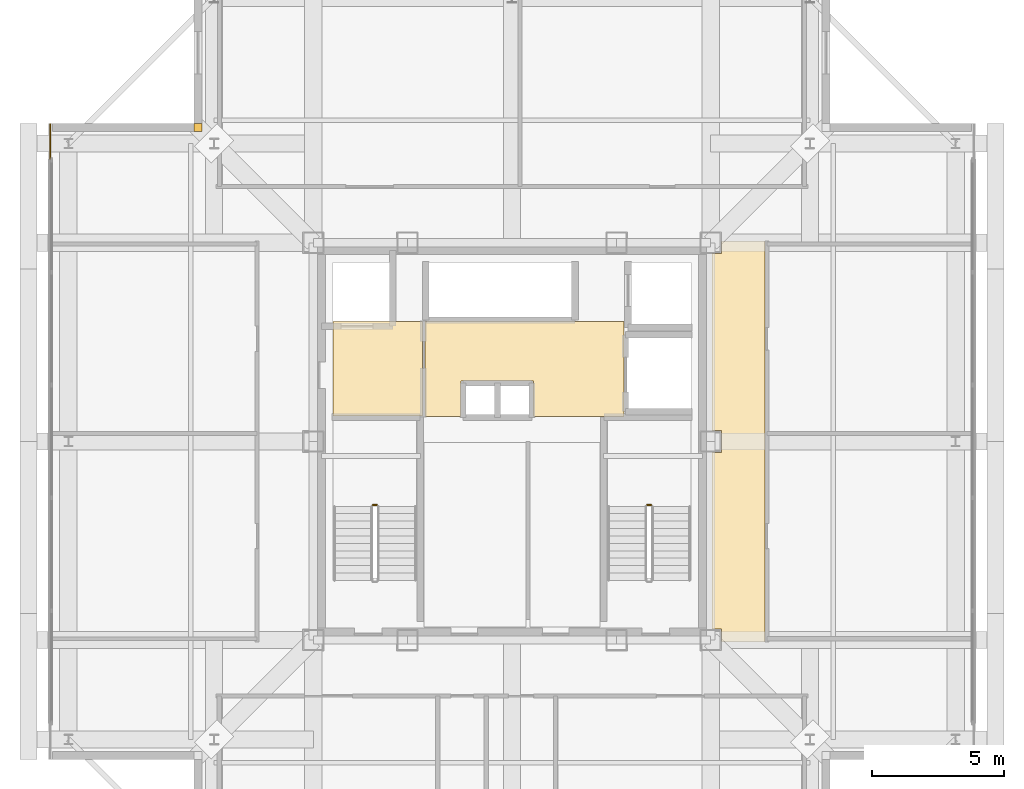
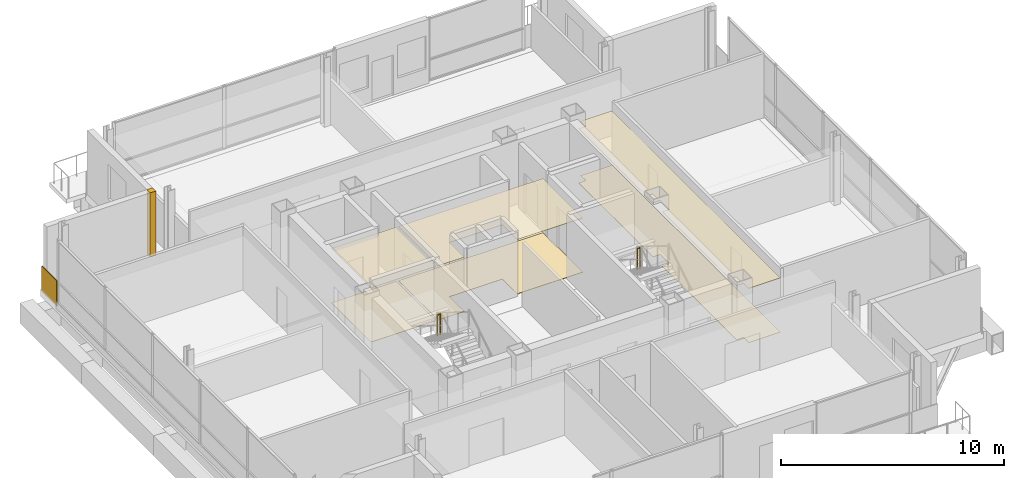
# One storey, part 14 of 15: 8 coverings, 2 railings.
"""IFC4 building model written with IfcOpenShell, lengths in metres."""

from ifc_helpers import new_model, si_unit, direction, frame, frame_2d, origin, origin_2d, place, context, subcontext, project, spatial, polyline, rectangle, circle, outline, extrude, material, layer, layer_set, type_object, element, save


model = new_model("IFC4")

# Units and contexts
model_context = context("Model", 3, precision=1e-05, world=origin(), true_north=direction((0.0, 1.0)))
body_context = subcontext(model_context, "Body", "Model", "MODEL_VIEW")
ifc_project = project(units=[si_unit("LENGTHUNIT", "METRE"), si_unit("AREAUNIT", "SQUARE_METRE"), si_unit("VOLUMEUNIT", "CUBIC_METRE"), si_unit("PLANEANGLEUNIT", "RADIAN"), si_unit("MASSUNIT", "GRAM", prefix="KILO")], contexts=[model_context])

# Site, building, storey
site_placement = place(None, origin())
site = spatial("IfcSite", under=ifc_project, at=site_placement, CompositionType="ELEMENT")
building_placement = place(site_placement, origin())
building = spatial("IfcBuilding", under=site, at=building_placement, Name="Trevonay Congress Spire", CompositionType="ELEMENT")
storey_placement = place(building_placement, frame((0.0, 0.0, 300.800048828125)))
storey = spatial("IfcBuildingStorey", under=building, at=storey_placement, Name="L79", CompositionType="ELEMENT", Elevation=300.800048828125)

# Coverings
ifc_material_1 = material(Name="Acoustic Mineral Fibre Board", Category="gypsum")
ifc_layer_1 = layer(ifc_material_1, 0.02490234375, Name="Acoustic Mineral Fibre Board")
ifc_layer_set_1 = layer_set([ifc_layer_1], Name="Acoustic Mineral Fibre Board")
covering_type_1 = type_object("IfcCoveringType", Name="COV-CEIL-ACOUSTIC", PredefinedType="CEILING", material=ifc_layer_set_1)
covering_1_placement = place(storey_placement, frame((0.0, 0.0, 2.969970703125)))
element("IfcCovering", 1, at=covering_1_placement, inside=storey, type_object=covering_type_1, Name="L79 Firefighting Lift Lobby West acoustic suspended ceiling", PredefinedType="CEILING", context=body_context, shape_type="SweptSolid", body=[
    extrude(outline(polyline([(-6.75, 0.9599609375), (-3.3798828125, 0.9599609375), (-3.3798828125, 4.52001953125), (-6.75, 4.52001953125), (-6.75, 0.9599609375)])), origin(), (0.0, 0.0, 1.0), 0.02490234375),
])
covering_2_placement = place(storey_placement, frame((0.0, 0.0, 2.969970703125)))
element("IfcCovering", 2, at=covering_2_placement, inside=storey, type_object=covering_type_1, Name="L79 Central and High-Rise Passenger Lift Lobby acoustic suspended ceiling", PredefinedType="CEILING", context=body_context, shape_type="SweptSolid", body=[
    extrude(outline(polyline([(-3.280029296875, 0.949951171875), (-1.919921875, 0.949951171875), (-1.919921875, 2.280029296875), (0.820068359375, 2.280029296875), (0.820068359375, 0.949951171875), (4.219970703125, 0.949951171875), (4.219970703125, 4.52001953125), (-3.280029296875, 4.52001953125), (-3.280029296875, 0.949951171875)])), origin(), (0.0, 0.0, 1.0), 0.02490234375),
])
covering_3_placement = place(storey_placement, frame((0.0, 0.0, 2.969970703125)))
element("IfcCovering", 3, at=covering_3_placement, inside=storey, type_object=covering_type_1, Name="L79 Crown Gallery Corridor East acoustic suspended ceiling", PredefinedType="CEILING", context=body_context, shape_type="SweptSolid", body=[
    extrude(outline(polyline([(9.550048828125, -7.550048828125), (7.909912109375, -7.550048828125), (7.909912109375, -7.090087890625), (7.550048828125, -7.090087890625), (7.550048828125, -0.409912109375), (7.909912109375, -0.409912109375), (7.909912109375, 0.409912109375), (7.550048828125, 0.409912109375), (7.550048828125, 7.090087890625), (7.909912109375, 7.090087890625), (7.909912109375, 7.550048828125), (9.550048828125, 7.550048828125), (9.550048828125, -7.550048828125)])), origin(), (0.0, 0.0, 1.0), 0.02490234375),
])
ifc_material_2 = material(Name="Polished Granite Floor Tile", Category="masonry")
ifc_layer_2 = layer(ifc_material_2, 0.02001953125, Name="Polished Granite Floor Tile")
ifc_layer_set_2 = layer_set([ifc_layer_2], Name="Polished Granite Floor Tile")
covering_type_2 = type_object("IfcCoveringType", Name="COV-FLOOR-STONE", PredefinedType="FLOORING", material=ifc_layer_set_2)
covering_4_placement = place(storey_placement, origin())
element("IfcCovering", 4, at=covering_4_placement, inside=storey, type_object=covering_type_2, Name="L79 Firefighting Lift Lobby West floor finish", PredefinedType="FLOORING", context=body_context, shape_type="SweptSolid", body=[
    extrude(outline(polyline([(-6.75, 0.9599609375), (-3.3798828125, 0.9599609375), (-3.3798828125, 4.52001953125), (-6.75, 4.52001953125), (-6.75, 0.9599609375)])), origin(), (0.0, 0.0, 1.0), 0.02001953125),
])
covering_5_placement = place(storey_placement, origin())
element("IfcCovering", 5, at=covering_5_placement, inside=storey, type_object=covering_type_2, Name="L79 Central and High-Rise Passenger Lift Lobby floor finish", PredefinedType="FLOORING", context=body_context, shape_type="SweptSolid", body=[
    extrude(outline(polyline([(-3.280029296875, 0.949951171875), (-1.919921875, 0.949951171875), (-1.919921875, 2.280029296875), (0.820068359375, 2.280029296875), (0.820068359375, 0.949951171875), (4.219970703125, 0.949951171875), (4.219970703125, 4.52001953125), (-3.280029296875, 4.52001953125), (-3.280029296875, 0.949951171875)])), origin(), (0.0, 0.0, 1.0), 0.02001953125),
])
covering_6_placement = place(storey_placement, origin())
element("IfcCovering", 6, at=covering_6_placement, inside=storey, type_object=covering_type_2, Name="L79 Crown Gallery Corridor East floor finish", PredefinedType="FLOORING", context=body_context, shape_type="SweptSolid", body=[
    extrude(outline(polyline([(9.550048828125, -7.550048828125), (7.909912109375, -7.550048828125), (7.909912109375, -7.090087890625), (7.550048828125, -7.090087890625), (7.550048828125, -0.409912109375), (7.909912109375, -0.409912109375), (7.909912109375, 0.409912109375), (7.550048828125, 0.409912109375), (7.550048828125, 7.090087890625), (7.909912109375, 7.090087890625), (7.909912109375, 7.550048828125), (9.550048828125, 7.550048828125), (9.550048828125, -7.550048828125)])), origin(), (0.0, 0.0, 1.0), 0.02001953125),
])
ifc_material_3 = material(Name="Pale Anodised Aluminium EN AW-6063-T6", Category="aluminium")
ifc_layer_3 = layer(ifc_material_3, 0.0400390625, Name="Pale Anodised Aluminium EN AW-6063-T6")
ifc_layer_set_3 = layer_set([ifc_layer_3], Name="Pale Anodised Aluminium EN AW-6063-T6")
covering_type_3 = type_object("IfcCoveringType", Name="COV-SPANDREL-PALE-METAL", PredefinedType="CLADDING", material=ifc_layer_set_3)
covering_7_placement = place(storey_placement, origin())
element("IfcCovering", 7, at=covering_7_placement, inside=storey, type_object=covering_type_3, Name="L79 NW re-entrant notch corner closure trim", PredefinedType="CLADDING", context=body_context, shape_type="SweptSolid", body=[
    extrude(outline(polyline([(-12.0, 11.699951171875), (-11.699951171875, 11.699951171875), (-11.699951171875, 12.0), (-12.0, 12.0), (-12.0, 11.699951171875)])), origin(), (0.0, 0.0, 1.0), 3.52001953125),
])
covering_8_placement = place(storey_placement, frame((-17.43994140625, 10.64990234375, -0.150146484375), z_axis=(0.0, 0.0, 1.0), x_axis=(0.0, 1.0, 0.0)))
element("IfcCovering", 8, at=covering_8_placement, inside=storey, type_object=covering_type_3, Name="L79 NW corner pier spandrel cladding 1", PredefinedType="CLADDING", context=body_context, shape_type="SweptSolid", body=[
    extrude(rectangle(XDim=1.35009765625, YDim=0.0400390625, at=frame_2d((0.675048828125, 0.0))), origin(), (0.0, 0.0, 1.0), 1.400146484375),
])

# Railings
railing_type = type_object("IfcRailingType", Name="RAL-STAIR-GUARD-110", PredefinedType="GUARDRAIL", material=ifc_material_3)
for number, where, name in (
    (9, (-5.10009765625, -2.39990234375, 1.89990234375), "L79 ST-1 stair guard 2"),
    (10, (5.25, -2.39990234375, 1.89990234375), "L79 ST-2 stair guard 2"),
):
    element("IfcRailing", number, at=place(storey_placement, frame(where)), inside=storey, type_object=railing_type, Name=name, PredefinedType="GUARDRAIL", context=body_context, shape_type="SweptSolid", body=[
        extrude(circle(Radius=0.02392578125, at=origin_2d()), frame((0.0, 0.0, 1.1259765625), z_axis=(-1.0, 0.0, 0.0), x_axis=(0.0, -1.0, 0.0)), (0.0, 0.0, 1.0), 0.14990234375),
        extrude(circle(Radius=0.02099609375, at=origin_2d()), origin(), (0.0, 0.0, 1.0), 1.101806640625),
        extrude(circle(Radius=0.02099609375, at=origin_2d()), frame((-0.14990234375, 0.0, 0.0)), (0.0, 0.0, 1.0), 1.101806640625),
    ])

save(model, "model.ifc")
